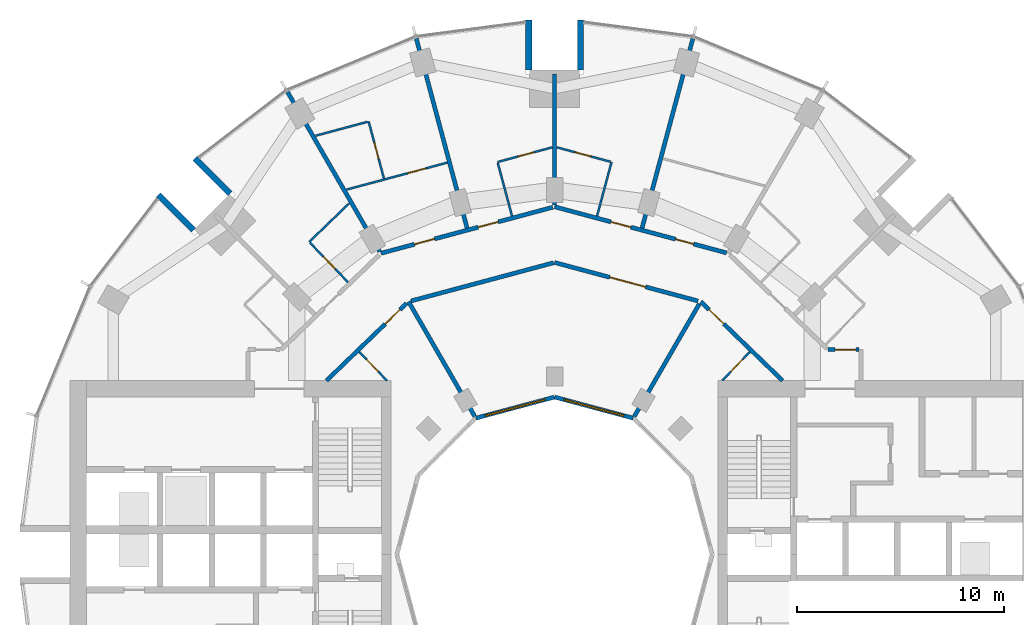
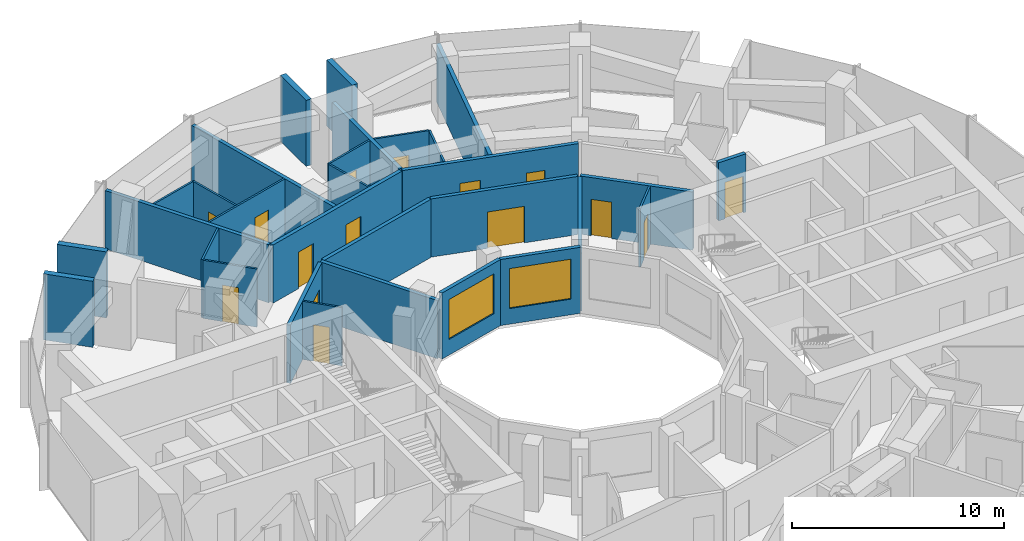
# One storey, part 12 of 15: 30 walls, 15 doors, 2 windows, 17 openings.
"""IFC4 building model written with IfcOpenShell, lengths in metres."""

from ifc_helpers import new_model, si_unit, direction, frame, frame_2d, origin, place, context, subcontext, project, spatial, rectangle, extrude, material, layer, layer_set, type_object, element, fill, save


model = new_model("IFC4")

# Units and contexts
model_context = context("Model", 3, precision=1e-05, world=origin(), true_north=direction((0.0, 1.0)))
body_context = subcontext(model_context, "Body", "Model", "MODEL_VIEW")
ifc_project = project(units=[si_unit("LENGTHUNIT", "METRE"), si_unit("AREAUNIT", "SQUARE_METRE"), si_unit("VOLUMEUNIT", "CUBIC_METRE"), si_unit("PLANEANGLEUNIT", "RADIAN"), si_unit("MASSUNIT", "GRAM", prefix="KILO")], contexts=[model_context])

# Site, building, storey
site_placement = place(None, origin())
site = spatial("IfcSite", under=ifc_project, at=site_placement, CompositionType="ELEMENT")
building_placement = place(site_placement, origin())
building = spatial("IfcBuilding", under=site, at=building_placement, Name="Torre Brocal", CompositionType="ELEMENT")
storey_placement = place(building_placement, frame((0.0, 0.0, 40.199951171875)))
storey = spatial("IfcBuildingStorey", under=building, at=storey_placement, Name="L08", CompositionType="ELEMENT", Elevation=40.199951171875)

# Walls
ifc_material_1 = material(Name="Concrete C80", Category="concrete")
ifc_layer_1 = layer(ifc_material_1, 0.300048828125)
ifc_layer_set_1 = layer_set([ifc_layer_1], Name="Concrete C80")
wall_type_1 = type_object("IfcWallType", Name="NOTCH RETURN WALL 300 C80", PredefinedType="NOTDEFINED", material=ifc_layer_set_1)
for number, where, z_axis, x_axis, name in (
    (1, (81.25, 98.39990234375, 0.0), (0.0, 0.0, 1.0), (0.0, 1.0, 0.0), "NOTCH RETURN WALL"),
    (2, (78.75, 98.39990234375, 0.0), (0.0, 0.0, 1.0), (0.0, 1.0, 0.0), "NOTCH RETURN WALL"),
    (3, (64.337646484375, 92.43017578125, 0.0), (0.0, 0.0, 1.0), (-0.707106781187, 0.707106781187, 0.0), "NOTCH RETURN WALL"),
    (4, (62.56982421875, 90.662353515625, 0.0), (0.0, 0.0, 1.0), (-0.707106781187, 0.707106781187, 0.0), "NOTCH RETURN WALL"),
):
    element("IfcWall", number, at=place(storey_placement, frame(where, z_axis=z_axis, x_axis=x_axis)), inside=storey, type_object=wall_type_1, Name=name, PredefinedType="NOTDEFINED", context=body_context, shape_type="SweptSolid", body=[
        extrude(rectangle(XDim=2.415771484375, YDim=0.300048828125, at=frame_2d((1.2080078125, 0.0))), origin(), (0.0, 0.0, 1.0), 3.800048828125),
    ])

# Wall, opening, door
ifc_material_2 = material(Name="Gypsum board", Category="Gypsum")
ifc_layer_2 = layer(ifc_material_2, 0.10009765625)
ifc_layer_set_2 = layer_set([ifc_layer_2], Name="Gypsum board")
wall_type_2 = type_object("IfcWallType", Name="PARTITION 100", PredefinedType="PARTITIONING", material=ifc_layer_set_2)
wall_1_placement = place(storey_placement, frame((68.184814453125, 90.06005859375, 0.0), z_axis=(0.0, 0.0, 1.0), x_axis=(0.69446127412, -0.719530081892, 0.0)))
wall_1 = element("IfcWall", 5, at=wall_1_placement, inside=storey, type_object=wall_type_2, Name="BATHROOM WALL", PredefinedType="PARTITIONING", context=body_context, shape_type="SweptSolid", body=[
    extrude(rectangle(XDim=2.64892578125, YDim=0.10009765625, at=frame_2d((1.324462890625, 0.0))), origin(), (0.0, 0.0, 1.0), 3.35009765625),
])
opening_1_placement = place(wall_1_placement, frame((0.94970703125, 0.0, 0.0)))
opening_1 = element("IfcOpeningElement", 6, at=opening_1_placement, cuts=wall_1, Name="Opening H02-D15", PredefinedType="OPENING", context=body_context, shape_type="SweptSolid", body=[
    extrude(rectangle(XDim=0.800048828125, YDim=2.10009765625, at=frame_2d((0.39990234375, 1.050048828125))), frame((0.0, 0.06005859375, 0.0), z_axis=(0.0, -1.0, 0.0), x_axis=(1.0, 0.0, 0.0)), (0.0, 0.0, 1.0), 0.1201171875),
])
ifc_material_3 = material(Name="Timber", Category="wood")
door_type_1 = type_object("IfcDoorType", Name="BATHROOM DOOR 800X2100", OperationType="SINGLE_SWING_LEFT", PredefinedType="DOOR", material=ifc_material_3)
door_1_placement = place(opening_1_placement, origin())
door_1 = element("IfcDoor", 7, at=door_1_placement, inside=storey, type_object=door_type_1, Name="H02-D15", OperationType="SINGLE_SWING_RIGHT", OverallHeight=2.10009765625, OverallWidth=0.800048828125, PredefinedType="DOOR", context=body_context, shape_type="SweptSolid", body=[
    extrude(rectangle(XDim=0.800048828125, YDim=2.10009765625, at=frame_2d((0.39990234375, 1.050048828125))), frame((0.0, 0.02490234375, 0.0), z_axis=(0.0, -1.0, 0.0), x_axis=(1.0, 0.0, 0.0)), (0.0, 0.0, 1.0), 0.050048828125),
])
fill(opening_1, door_1)

# Walls
wall_2_placement = place(storey_placement, frame((68.14990234375, 90.09619140625, 0.0), z_axis=(0.0, 0.0, 1.0), x_axis=(0.719623741095, 0.69436422089, 0.0)))
element("IfcWall", 8, at=wall_2_placement, inside=storey, type_object=wall_type_2, Name="BATHROOM WALL", PredefinedType="PARTITIONING", context=body_context, shape_type="SweptSolid", body=[
    extrude(rectangle(XDim=2.68701171875, YDim=0.10009765625, at=frame_2d((1.343505859375, 0.0))), origin(), (0.0, 0.0, 1.0), 3.35009765625),
])
wall_3_placement = place(storey_placement, frame((68.456787109375, 95.22509765625, 0.0), z_axis=(0.0, 0.0, 1.0), x_axis=(0.965887416682, 0.258962349183, 0.0)))
element("IfcWall", 9, at=wall_3_placement, inside=storey, type_object=wall_type_2, Name="BATHROOM WALL", PredefinedType="PARTITIONING", context=body_context, shape_type="SweptSolid", body=[
    extrude(rectangle(XDim=2.606689453125, YDim=0.10009765625, at=frame_2d((1.30322265625, 0.0))), origin(), (0.0, 0.0, 1.0), 3.35009765625),
])

# Wall, opening, door
wall_4_placement = place(storey_placement, frame((69.9580078125, 92.625244140625, 0.0), z_axis=(0.0, 0.0, 1.0), x_axis=(0.96595043048, 0.258727203548, 0.0)))
wall_4 = element("IfcWall", 10, at=wall_4_placement, inside=storey, type_object=wall_type_2, Name="BATHROOM WALL", PredefinedType="PARTITIONING", context=body_context, shape_type="SweptSolid", body=[
    extrude(rectangle(XDim=5.0380859375, YDim=0.10009765625, at=frame_2d((2.51904296875, 0.0))), origin(), (0.0, 0.0, 1.0), 3.35009765625),
])
opening_2_placement = place(wall_4_placement, frame((3.04931640625, 0.0, 0.0)))
opening_2 = element("IfcOpeningElement", 11, at=opening_2_placement, cuts=wall_4, Name="Opening H02-D12", PredefinedType="OPENING", context=body_context, shape_type="SweptSolid", body=[
    extrude(rectangle(XDim=0.89990234375, YDim=2.10009765625, at=frame_2d((0.449951171875, 1.050048828125))), frame((0.0, 0.06005859375, 0.0), z_axis=(0.0, -1.0, 0.0), x_axis=(1.0, 0.0, 0.0)), (0.0, 0.0, 1.0), 0.1201171875),
])
ifc_material_4 = material(Name="Timber", Category="wood")
door_type_2 = type_object("IfcDoorType", Name="ROOM DOOR 900X2100", OperationType="SINGLE_SWING_LEFT", PredefinedType="DOOR", material=ifc_material_4)
door_2_placement = place(opening_2_placement, frame((0.89990234375, 0.0, 0.0), z_axis=(0.0, 0.0, 1.0), x_axis=(-1.0, 0.0, 0.0)))
door_2 = element("IfcDoor", 12, at=door_2_placement, inside=storey, type_object=door_type_2, Name="H02-D12", OperationType="SINGLE_SWING_LEFT", OverallHeight=2.10009765625, OverallWidth=0.89990234375, PredefinedType="DOOR", context=body_context, shape_type="SweptSolid", body=[
    extrude(rectangle(XDim=0.89990234375, YDim=2.10009765625, at=frame_2d((0.449951171875, 1.050048828125))), frame((0.0, 0.02490234375, 0.0), z_axis=(0.0, -1.0, 0.0), x_axis=(1.0, 0.0, 0.0)), (0.0, 0.0, 1.0), 0.050048828125),
])
fill(opening_2, door_2)

wall_5_placement = place(storey_placement, frame((70.5673828125, 84.785888671875, 0.0), z_axis=(0.0, 0.0, 1.0), x_axis=(0.694447472534, -0.719543402368, 0.0)))
wall_5 = element("IfcWall", 13, at=wall_5_placement, inside=storey, type_object=wall_type_2, Name="BATHROOM WALL", PredefinedType="PARTITIONING", context=body_context, shape_type="SweptSolid", body=[
    extrude(rectangle(XDim=1.92626953125, YDim=0.10009765625, at=frame_2d((0.963134765625, 0.0))), origin(), (0.0, 0.0, 1.0), 3.35009765625),
])
opening_3_placement = place(wall_5_placement, frame((0.51318359375, 0.0, 0.0)))
opening_3 = element("IfcOpeningElement", 14, at=opening_3_placement, cuts=wall_5, Name="Opening H02-D22", PredefinedType="OPENING", context=body_context, shape_type="SweptSolid", body=[
    extrude(rectangle(XDim=0.800048828125, YDim=2.10009765625, at=frame_2d((0.39990234375, 1.050048828125))), frame((0.0, 0.06005859375, 0.0), z_axis=(0.0, -1.0, 0.0), x_axis=(1.0, 0.0, 0.0)), (0.0, 0.0, 1.0), 0.1201171875),
])
door_3_placement = place(opening_3_placement, frame((0.800048828125, 0.0, 0.0), z_axis=(0.0, 0.0, 1.0), x_axis=(-1.0, 0.0, 0.0)))
door_3 = element("IfcDoor", 15, at=door_3_placement, inside=storey, type_object=door_type_1, Name="H02-D22", OperationType="SINGLE_SWING_RIGHT", OverallHeight=2.10009765625, OverallWidth=0.800048828125, PredefinedType="DOOR", context=body_context, shape_type="SweptSolid", body=[
    extrude(rectangle(XDim=0.800048828125, YDim=2.10009765625, at=frame_2d((0.39990234375, 1.050048828125))), frame((0.0, 0.02490234375, 0.0), z_axis=(0.0, -1.0, 0.0), x_axis=(1.0, 0.0, 0.0)), (0.0, 0.0, 1.0), 0.050048828125),
])
fill(opening_3, door_3)

wall_6_placement = place(storey_placement, frame((71.02294921875, 95.9130859375, 0.0), z_axis=(0.0, 0.0, 1.0), x_axis=(0.258968734817, -0.965885704619, 0.0)))
wall_6 = element("IfcWall", 16, at=wall_6_placement, inside=storey, type_object=wall_type_2, Name="BATHROOM WALL", PredefinedType="PARTITIONING", context=body_context, shape_type="SweptSolid", body=[
    extrude(rectangle(XDim=2.849853515625, YDim=0.10009765625, at=frame_2d((1.4248046875, 0.0))), origin(), (0.0, 0.0, 1.0), 3.35009765625),
])
opening_4_placement = place(wall_6_placement, frame((1.050048828125, 0.0, 0.0)))
opening_4 = element("IfcOpeningElement", 17, at=opening_4_placement, cuts=wall_6, Name="Opening H02-D13", PredefinedType="OPENING", context=body_context, shape_type="SweptSolid", body=[
    extrude(rectangle(XDim=0.800048828125, YDim=2.10009765625, at=frame_2d((0.39990234375, 1.050048828125))), frame((0.0, 0.06005859375, 0.0), z_axis=(0.0, -1.0, 0.0), x_axis=(1.0, 0.0, 0.0)), (0.0, 0.0, 1.0), 0.1201171875),
])
door_4_placement = place(opening_4_placement, frame((0.800048828125, 0.0, 0.0), z_axis=(0.0, 0.0, 1.0), x_axis=(-1.0, 0.0, 0.0)))
door_4 = element("IfcDoor", 18, at=door_4_placement, inside=storey, type_object=door_type_1, Name="H02-D13", OperationType="SINGLE_SWING_RIGHT", OverallHeight=2.10009765625, OverallWidth=0.800048828125, PredefinedType="DOOR", context=body_context, shape_type="SweptSolid", body=[
    extrude(rectangle(XDim=0.800048828125, YDim=2.10009765625, at=frame_2d((0.39990234375, 1.050048828125))), frame((0.0, 0.02490234375, 0.0), z_axis=(0.0, -1.0, 0.0), x_axis=(1.0, 0.0, 0.0)), (0.0, 0.0, 1.0), 0.050048828125),
])
fill(opening_4, door_4)

# Wall
wall_7_placement = place(storey_placement, frame((77.260009765625, 93.90869140625, 0.0), z_axis=(0.0, 0.0, 1.0), x_axis=(0.258935674139, -0.965894568086, 0.0)))
element("IfcWall", 19, at=wall_7_placement, inside=storey, type_object=wall_type_2, Name="BATHROOM WALL", PredefinedType="PARTITIONING", context=body_context, shape_type="SweptSolid", body=[
    extrude(rectangle(XDim=2.6494140625, YDim=0.10009765625, at=frame_2d((1.32470703125, 0.0))), origin(), (0.0, 0.0, 1.0), 3.35009765625),
])

# Wall, opening, door
wall_8_placement = place(storey_placement, frame((77.2470703125, 93.95703125, 0.0), z_axis=(0.0, 0.0, 1.0), x_axis=(0.965899920864, 0.258915706119, 0.0)))
wall_8 = element("IfcWall", 20, at=wall_8_placement, inside=storey, type_object=wall_type_2, Name="BATHROOM WALL", PredefinedType="PARTITIONING", context=body_context, shape_type="SweptSolid", body=[
    extrude(rectangle(XDim=2.740234375, YDim=0.10009765625, at=frame_2d((1.3701171875, 0.0))), origin(), (0.0, 0.0, 1.0), 3.35009765625),
])
opening_5_placement = place(wall_8_placement, frame((1.025146484375, 0.0, 0.0)))
opening_5 = element("IfcOpeningElement", 21, at=opening_5_placement, cuts=wall_8, Name="Opening H02-D10", PredefinedType="OPENING", context=body_context, shape_type="SweptSolid", body=[
    extrude(rectangle(XDim=0.800048828125, YDim=2.10009765625, at=frame_2d((0.39990234375, 1.050048828125))), frame((0.0, 0.06005859375, 0.0), z_axis=(0.0, -1.0, 0.0), x_axis=(1.0, 0.0, 0.0)), (0.0, 0.0, 1.0), 0.1201171875),
])
door_5_placement = place(opening_5_placement, frame((0.800048828125, 0.0, 0.0), z_axis=(0.0, 0.0, 1.0), x_axis=(-1.0, 0.0, 0.0)))
door_5 = element("IfcDoor", 22, at=door_5_placement, inside=storey, type_object=door_type_1, Name="H02-D10", OperationType="SINGLE_SWING_LEFT", OverallHeight=2.10009765625, OverallWidth=0.800048828125, PredefinedType="DOOR", context=body_context, shape_type="SweptSolid", body=[
    extrude(rectangle(XDim=0.800048828125, YDim=2.10009765625, at=frame_2d((0.39990234375, 1.050048828125))), frame((0.0, 0.02490234375, 0.0), z_axis=(0.0, -1.0, 0.0), x_axis=(1.0, 0.0, 0.0)), (0.0, 0.0, 1.0), 0.050048828125),
])
fill(opening_5, door_5)

wall_9_placement = place(storey_placement, frame((80.106201171875, 94.66650390625, 0.0), z_axis=(0.0, 0.0, 1.0), x_axis=(0.96589821458, -0.258922071427, 0.0)))
wall_9 = element("IfcWall", 23, at=wall_9_placement, inside=storey, type_object=wall_type_2, Name="BATHROOM WALL", PredefinedType="PARTITIONING", context=body_context, shape_type="SweptSolid", body=[
    extrude(rectangle(XDim=2.690185546875, YDim=0.10009765625, at=frame_2d((1.34521484375, 0.0))), origin(), (0.0, 0.0, 1.0), 3.35009765625),
])
opening_6_placement = place(wall_9_placement, frame((0.9150390625, 0.0, 0.0)))
opening_6 = element("IfcOpeningElement", 24, at=opening_6_placement, cuts=wall_9, Name="Opening H02-D08", PredefinedType="OPENING", context=body_context, shape_type="SweptSolid", body=[
    extrude(rectangle(XDim=0.800048828125, YDim=2.10009765625, at=frame_2d((0.39990234375, 1.050048828125))), frame((0.0, 0.06005859375, 0.0), z_axis=(0.0, -1.0, 0.0), x_axis=(1.0, 0.0, 0.0)), (0.0, 0.0, 1.0), 0.1201171875),
])
door_6_placement = place(opening_6_placement, frame((0.800048828125, 0.0, 0.0), z_axis=(0.0, 0.0, 1.0), x_axis=(-1.0, 0.0, 0.0)))
door_6 = element("IfcDoor", 25, at=door_6_placement, inside=storey, type_object=door_type_1, Name="H02-D08", OperationType="SINGLE_SWING_RIGHT", OverallHeight=2.10009765625, OverallWidth=0.800048828125, PredefinedType="DOOR", context=body_context, shape_type="SweptSolid", body=[
    extrude(rectangle(XDim=0.800048828125, YDim=2.10009765625, at=frame_2d((0.39990234375, 1.050048828125))), frame((0.0, 0.02490234375, 0.0), z_axis=(0.0, -1.0, 0.0), x_axis=(1.0, 0.0, 0.0)), (0.0, 0.0, 1.0), 0.050048828125),
])
fill(opening_6, door_6)

# Wall
wall_10_placement = place(storey_placement, frame((82.053955078125, 91.349609375, 0.0), z_axis=(0.0, 0.0, 1.0), x_axis=(0.258928960762, 0.965896367774, 0.0)))
element("IfcWall", 26, at=wall_10_placement, inside=storey, type_object=wall_type_2, Name="BATHROOM WALL", PredefinedType="PARTITIONING", context=body_context, shape_type="SweptSolid", body=[
    extrude(rectangle(XDim=2.699462890625, YDim=0.10009765625, at=frame_2d((1.349609375, 0.0))), origin(), (0.0, 0.0, 1.0), 3.35009765625),
])

# Wall, opening, door
wall_11_placement = place(storey_placement, frame((88.094970703125, 83.39990234375, 0.0), z_axis=(0.0, 0.0, 1.0), x_axis=(0.694447472534, 0.719543402368, 0.0)))
wall_11 = element("IfcWall", 27, at=wall_11_placement, inside=storey, type_object=wall_type_2, Name="BATHROOM WALL", PredefinedType="PARTITIONING", context=body_context, shape_type="SweptSolid", body=[
    extrude(rectangle(XDim=1.92626953125, YDim=0.10009765625, at=frame_2d((0.963134765625, 0.0))), origin(), (0.0, 0.0, 1.0), 3.35009765625),
])
opening_7_placement = place(wall_11_placement, frame((0.613037109375, 0.0, 0.0)))
opening_7 = element("IfcOpeningElement", 28, at=opening_7_placement, cuts=wall_11, Name="Opening H02-D19", PredefinedType="OPENING", context=body_context, shape_type="SweptSolid", body=[
    extrude(rectangle(XDim=0.800048828125, YDim=2.10009765625, at=frame_2d((0.39990234375, 1.050048828125))), frame((0.0, 0.06005859375, 0.0), z_axis=(0.0, -1.0, 0.0), x_axis=(1.0, 0.0, 0.0)), (0.0, 0.0, 1.0), 0.1201171875),
])
door_7_placement = place(opening_7_placement, frame((0.800048828125, 0.0, 0.0), z_axis=(0.0, 0.0, 1.0), x_axis=(-1.0, 0.0, 0.0)))
door_7 = element("IfcDoor", 29, at=door_7_placement, inside=storey, type_object=door_type_1, Name="H02-D19", OperationType="SINGLE_SWING_LEFT", OverallHeight=2.10009765625, OverallWidth=0.800048828125, PredefinedType="DOOR", context=body_context, shape_type="SweptSolid", body=[
    extrude(rectangle(XDim=0.800048828125, YDim=2.10009765625, at=frame_2d((0.39990234375, 1.050048828125))), frame((0.0, 0.02490234375, 0.0), z_axis=(0.0, -1.0, 0.0), x_axis=(1.0, 0.0, 0.0)), (0.0, 0.0, 1.0), 0.050048828125),
])
fill(opening_7, door_7)

# Wall
ifc_material_5 = material(Name="Gypsum board", Category="Gypsum")
ifc_layer_3 = layer(ifc_material_5, 0.199951171875)
ifc_layer_set_3 = layer_set([ifc_layer_3], Name="Gypsum board")
wall_type_3 = type_object("IfcWallType", Name="PARTITION 200 EI60", PredefinedType="PARTITIONING", material=ifc_layer_set_3)
wall_12_placement = place(storey_placement, frame((67.10302734375, 97.342529296875, 0.0), z_axis=(0.0, 0.0, 1.0), x_axis=(0.499900389553, -0.866082906265, 0.0)))
element("IfcWall", 30, at=wall_12_placement, inside=storey, type_object=wall_type_3, Name="BATHROOM WALL", PredefinedType="PARTITIONING", context=body_context, shape_type="SweptSolid", body=[
    extrude(rectangle(XDim=8.907958984375, YDim=0.199951171875, at=frame_2d((4.4541015625, 0.0))), origin(), (0.0, 0.0, 1.0), 3.35009765625),
])

# Wall, opening, door
wall_13_placement = place(storey_placement, frame((68.987060546875, 83.39990234375, 0.0), z_axis=(0.0, 0.0, 1.0), x_axis=(0.719591503389, 0.694397629784, 0.0)))
wall_13 = element("IfcWall", 31, at=wall_13_placement, inside=storey, type_object=wall_type_3, Name="GUESTROOM CORRIDOR WALL", PredefinedType="PARTITIONING", context=body_context, shape_type="SweptSolid", body=[
    extrude(rectangle(XDim=5.378173828125, YDim=0.199951171875, at=frame_2d((2.68896484375, 0.0))), origin(), (0.0, 0.0, 1.0), 3.35009765625),
])
opening_8_placement = place(wall_13_placement, frame((3.93798828125, 0.0, 0.0)))
opening_8 = element("IfcOpeningElement", 32, at=opening_8_placement, cuts=wall_13, Name="Opening H02-D21", PredefinedType="OPENING", context=body_context, shape_type="SweptSolid", body=[
    extrude(rectangle(XDim=1.0, YDim=2.10009765625, at=frame_2d((0.5, 1.050048828125))), frame((0.0, 0.10986328125, 0.0), z_axis=(0.0, -1.0, 0.0), x_axis=(1.0, 0.0, 0.0)), (0.0, 0.0, 1.0), 0.219970703125),
])
ifc_material_6 = material(Name="Timber", Category="wood")
door_type_3 = type_object("IfcDoorType", Name="FLAT ENTRY DOOR FD30S 1000X2100", OperationType="SINGLE_SWING_RIGHT", PredefinedType="DOOR", material=ifc_material_6)
door_8_placement = place(opening_8_placement, frame((1.0, 0.0, 0.0), z_axis=(0.0, 0.0, 1.0), x_axis=(-1.0, 0.0, 0.0)))
door_8 = element("IfcDoor", 33, at=door_8_placement, inside=storey, type_object=door_type_3, Name="H02-D21", OperationType="SINGLE_SWING_LEFT", OverallHeight=2.10009765625, OverallWidth=1.0, PredefinedType="DOOR", context=body_context, shape_type="SweptSolid", body=[
    extrude(rectangle(XDim=1.0, YDim=2.10009765625, at=frame_2d((0.5, 1.050048828125))), frame((0.0, 0.02490234375, 0.0), z_axis=(0.0, -1.0, 0.0), x_axis=(1.0, 0.0, 0.0)), (0.0, 0.0, 1.0), 0.050048828125),
])
fill(opening_8, door_8)

# Wall, openings, doors
wall_14_placement = place(storey_placement, frame((71.61376953125, 89.549560546875, 0.0), z_axis=(0.0, 0.0, 1.0), x_axis=(0.96597505802, 0.258635239832, 0.0)))
wall_14 = element("IfcWall", 34, at=wall_14_placement, inside=storey, type_object=wall_type_3, Name="FLAT ENTRANCE WALL", PredefinedType="PARTITIONING", context=body_context, shape_type="SweptSolid", body=[
    extrude(rectangle(XDim=8.591796875, YDim=0.199951171875, at=frame_2d((4.2958984375, 0.0))), origin(), (0.0, 0.0, 1.0), 3.35009765625),
])
opening_9_placement = place(wall_14_placement, frame((4.864990234375, 0.0, 0.0)))
opening_9 = element("IfcOpeningElement", 35, at=opening_9_placement, cuts=wall_14, Name="Opening H02-D09", PredefinedType="OPENING", context=body_context, shape_type="SweptSolid", body=[
    extrude(rectangle(XDim=1.0, YDim=2.10009765625, at=frame_2d((0.5, 1.050048828125))), frame((0.0, 0.10986328125, 0.0), z_axis=(0.0, -1.0, 0.0), x_axis=(1.0, 0.0, 0.0)), (0.0, 0.0, 1.0), 0.219970703125),
])
opening_10_placement = place(wall_14_placement, frame((1.67724609375, 0.0, 0.0)))
opening_10 = element("IfcOpeningElement", 36, at=opening_10_placement, cuts=wall_14, Name="Opening H02-D11", PredefinedType="OPENING", context=body_context, shape_type="SweptSolid", body=[
    extrude(rectangle(XDim=1.0, YDim=2.10009765625, at=frame_2d((0.5, 1.050048828125))), frame((0.0, 0.10986328125, 0.0), z_axis=(0.0, -1.0, 0.0), x_axis=(1.0, 0.0, 0.0)), (0.0, 0.0, 1.0), 0.219970703125),
])
door_9_placement = place(opening_9_placement, origin())
door_9 = element("IfcDoor", 37, at=door_9_placement, inside=storey, type_object=door_type_3, Name="H02-D09", OperationType="SINGLE_SWING_LEFT", OverallHeight=2.10009765625, OverallWidth=1.0, PredefinedType="DOOR", context=body_context, shape_type="SweptSolid", body=[
    extrude(rectangle(XDim=1.0, YDim=2.10009765625, at=frame_2d((0.5, 1.050048828125))), frame((0.0, 0.02490234375, 0.0), z_axis=(0.0, -1.0, 0.0), x_axis=(1.0, 0.0, 0.0)), (0.0, 0.0, 1.0), 0.050048828125),
])
fill(opening_9, door_9)
door_10_placement = place(opening_10_placement, origin())
door_10 = element("IfcDoor", 38, at=door_10_placement, inside=storey, type_object=door_type_3, Name="H02-D11", OperationType="SINGLE_SWING_RIGHT", OverallHeight=2.10009765625, OverallWidth=1.0, PredefinedType="DOOR", context=body_context, shape_type="SweptSolid", body=[
    extrude(rectangle(XDim=1.0, YDim=2.10009765625, at=frame_2d((0.5, 1.050048828125))), frame((0.0, 0.02490234375, 0.0), z_axis=(0.0, -1.0, 0.0), x_axis=(1.0, 0.0, 0.0)), (0.0, 0.0, 1.0), 0.050048828125),
])
fill(opening_10, door_10)

# Walls
wall_15_placement = place(storey_placement, frame((73.0712890625, 87.2470703125, 0.0), z_axis=(0.0, 0.0, 1.0), x_axis=(0.965920206274, 0.258840018373, 0.0)))
element("IfcWall", 39, at=wall_15_placement, inside=storey, type_object=wall_type_3, Name="GUESTROOM CORRIDOR WALL", PredefinedType="PARTITIONING", context=body_context, shape_type="SweptSolid", body=[
    extrude(rectangle(XDim=7.123046875, YDim=0.199951171875, at=frame_2d((3.5615234375, 0.0))), origin(), (0.0, 0.0, 1.0), 3.35009765625),
])
wall_16_placement = place(storey_placement, frame((72.948974609375, 87.214599609375, 0.0), z_axis=(0.0, 0.0, 1.0), x_axis=(0.499890755261, -0.866088467077, 0.0)))
element("IfcWall", 40, at=wall_16_placement, inside=storey, type_object=wall_type_3, Name="PARTY PARTITION", PredefinedType="PARTITIONING", context=body_context, shape_type="SweptSolid", body=[
    extrude(rectangle(XDim=6.404296875, YDim=0.199951171875, at=frame_2d((3.2021484375, 0.0))), origin(), (0.0, 0.0, 1.0), 3.35009765625),
])
wall_17_placement = place(storey_placement, frame((73.323486328125, 99.91943359375, 0.0), z_axis=(0.0, 0.0, 1.0), x_axis=(0.258786746607, -0.965934480066, 0.0)))
element("IfcWall", 41, at=wall_17_placement, inside=storey, type_object=wall_type_3, Name="PARTY PARTITION", PredefinedType="PARTITIONING", context=body_context, shape_type="SweptSolid", body=[
    extrude(rectangle(XDim=9.474609375, YDim=0.199951171875, at=frame_2d((4.7373046875, 0.0))), origin(), (0.0, 0.0, 1.0), 3.35009765625),
])

# Wall, opening, door
wall_18_placement = place(storey_placement, frame((80.0, 89.104248046875, 0.0), z_axis=(0.0, 0.0, 1.0), x_axis=(0.965886659739, -0.258965172444, 0.0)))
wall_18 = element("IfcWall", 42, at=wall_18_placement, inside=storey, type_object=wall_type_3, Name="GUESTROOM CORRIDOR WALL", PredefinedType="PARTITIONING", context=body_context, shape_type="SweptSolid", body=[
    extrude(rectangle(XDim=7.17333984375, YDim=0.199951171875, at=frame_2d((3.586669921875, 0.0))), origin(), (0.0, 0.0, 1.0), 3.35009765625),
])
opening_11_placement = place(wall_18_placement, frame((2.756591796875, 0.0, 0.0)))
opening_11 = element("IfcOpeningElement", 43, at=opening_11_placement, cuts=wall_18, Name="Opening H02-D20", PredefinedType="OPENING", context=body_context, shape_type="SweptSolid", body=[
    extrude(rectangle(XDim=1.800048828125, YDim=2.10009765625, at=frame_2d((0.89990234375, 1.050048828125))), frame((0.0, 0.10986328125, 0.0), z_axis=(0.0, -1.0, 0.0), x_axis=(1.0, 0.0, 0.0)), (0.0, 0.0, 1.0), 0.219970703125),
])
ifc_material_7 = material(Name="Timber", Category="wood")
door_type_4 = type_object("IfcDoorType", Name="DOUBLE DOOR 1800X2100", OperationType="DOUBLE_DOOR_SINGLE_SWING", PredefinedType="DOOR", material=ifc_material_7)
door_11_placement = place(opening_11_placement, frame((1.800048828125, 0.0, 0.0), z_axis=(0.0, 0.0, 1.0), x_axis=(-1.0, 0.0, 0.0)))
door_11 = element("IfcDoor", 44, at=door_11_placement, inside=storey, type_object=door_type_4, Name="H02-D20", OperationType="DOUBLE_DOOR_SINGLE_SWING", OverallHeight=2.10009765625, OverallWidth=1.800048828125, PredefinedType="DOOR", context=body_context, shape_type="SweptSolid", body=[
    extrude(rectangle(XDim=1.800048828125, YDim=2.10009765625, at=frame_2d((0.89990234375, 1.050048828125))), frame((0.0, 0.02490234375, 0.0), z_axis=(0.0, -1.0, 0.0), x_axis=(1.0, 0.0, 0.0)), (0.0, 0.0, 1.0), 0.050048828125),
])
fill(opening_11, door_11)

# Wall
wall_19_placement = place(storey_placement, frame((80.0, 91.885986328125, 0.0), z_axis=(0.0, 0.0, 1.0), x_axis=(0.0, 1.0, 0.0)))
element("IfcWall", 45, at=wall_19_placement, inside=storey, type_object=wall_type_3, Name="BATHROOM WALL", PredefinedType="PARTITIONING", context=body_context, shape_type="SweptSolid", body=[
    extrude(rectangle(XDim=6.31396484375, YDim=0.199951171875, at=frame_2d((3.156982421875, 0.0))), origin(), (0.0, 0.0, 1.0), 3.35009765625),
])

# Wall, openings, doors
wall_20_placement = place(storey_placement, frame((80.0, 91.79638671875, 0.0), z_axis=(0.0, 0.0, 1.0), x_axis=(0.965896351823, -0.258929020266, 0.0)))
wall_20 = element("IfcWall", 46, at=wall_20_placement, inside=storey, type_object=wall_type_3, Name="GUESTROOM CORRIDOR WALL", PredefinedType="PARTITIONING", context=body_context, shape_type="SweptSolid", body=[
    extrude(rectangle(XDim=8.60205078125, YDim=0.199951171875, at=frame_2d((4.301025390625, 0.0))), origin(), (0.0, 0.0, 1.0), 3.35009765625),
])
opening_12_placement = place(wall_20_placement, frame((6.0546875, 0.0, 0.0)))
opening_12 = element("IfcOpeningElement", 47, at=opening_12_placement, cuts=wall_20, Name="Opening H02-D05", PredefinedType="OPENING", context=body_context, shape_type="SweptSolid", body=[
    extrude(rectangle(XDim=0.89990234375, YDim=2.10009765625, at=frame_2d((0.449951171875, 1.050048828125))), frame((0.0, 0.10986328125, 0.0), z_axis=(0.0, -1.0, 0.0), x_axis=(1.0, 0.0, 0.0)), (0.0, 0.0, 1.0), 0.219970703125),
])
opening_13_placement = place(wall_20_placement, frame((2.816650390625, 0.0, 0.0)))
opening_13 = element("IfcOpeningElement", 48, at=opening_13_placement, cuts=wall_20, Name="Opening H02-D07", PredefinedType="OPENING", context=body_context, shape_type="SweptSolid", body=[
    extrude(rectangle(XDim=1.0, YDim=2.10009765625, at=frame_2d((0.5, 1.050048828125))), frame((0.0, 0.10986328125, 0.0), z_axis=(0.0, -1.0, 0.0), x_axis=(1.0, 0.0, 0.0)), (0.0, 0.0, 1.0), 0.219970703125),
])
door_12_placement = place(opening_13_placement, origin())
door_12 = element("IfcDoor", 49, at=door_12_placement, inside=storey, type_object=door_type_3, Name="H02-D07", OperationType="SINGLE_SWING_RIGHT", OverallHeight=2.10009765625, OverallWidth=1.0, PredefinedType="DOOR", context=body_context, shape_type="SweptSolid", body=[
    extrude(rectangle(XDim=1.0, YDim=2.10009765625, at=frame_2d((0.5, 1.050048828125))), frame((0.0, 0.02490234375, 0.0), z_axis=(0.0, -1.0, 0.0), x_axis=(1.0, 0.0, 0.0)), (0.0, 0.0, 1.0), 0.050048828125),
])
fill(opening_13, door_12)
door_13_placement = place(opening_12_placement, origin())
door_13 = element("IfcDoor", 50, at=door_13_placement, inside=storey, type_object=door_type_2, Name="H02-D05", OperationType="SINGLE_SWING_LEFT", OverallHeight=2.10009765625, OverallWidth=0.89990234375, PredefinedType="DOOR", context=body_context, shape_type="SweptSolid", body=[
    extrude(rectangle(XDim=0.89990234375, YDim=2.10009765625, at=frame_2d((0.449951171875, 1.050048828125))), frame((0.0, 0.02490234375, 0.0), z_axis=(0.0, -1.0, 0.0), x_axis=(1.0, 0.0, 0.0)), (0.0, 0.0, 1.0), 0.050048828125),
])
fill(opening_12, door_13)

# Walls
wall_21_placement = place(storey_placement, frame((83.85009765625, 81.667724609375, 0.0), z_axis=(0.0, 0.0, 1.0), x_axis=(0.500233583443, 0.865890502313, 0.0)))
element("IfcWall", 51, at=wall_21_placement, inside=storey, type_object=wall_type_3, Name="PARTY PARTITION", PredefinedType="PARTITIONING", context=body_context, shape_type="SweptSolid", body=[
    extrude(rectangle(XDim=6.2841796875, YDim=0.199951171875, at=frame_2d((3.14208984375, 0.0))), origin(), (0.0, 0.0, 1.0), 3.35009765625),
])
wall_22_placement = place(storey_placement, frame((84.226318359375, 90.76708984375, 0.0), z_axis=(0.0, 0.0, 1.0), x_axis=(0.25891339545, 0.965900540251, 0.0)))
element("IfcWall", 52, at=wall_22_placement, inside=storey, type_object=wall_type_3, Name="SERVICE ROOM WALL", PredefinedType="PARTITIONING", context=body_context, shape_type="SweptSolid", body=[
    extrude(rectangle(XDim=9.474609375, YDim=0.199951171875, at=frame_2d((4.7373046875, 0.0))), origin(), (0.0, 0.0, 1.0), 3.35009765625),
])

# Wall, opening, door
wall_23_placement = place(storey_placement, frame((87.06396484375, 87.2109375, 0.0), z_axis=(0.0, 0.0, 1.0), x_axis=(0.719540958932, -0.694450004262, 0.0)))
wall_23 = element("IfcWall", 53, at=wall_23_placement, inside=storey, type_object=wall_type_3, Name="GUESTROOM CORRIDOR WALL", PredefinedType="PARTITIONING", context=body_context, shape_type="SweptSolid", body=[
    extrude(rectangle(XDim=5.48779296875, YDim=0.199951171875, at=frame_2d((2.743896484375, 0.0))), origin(), (0.0, 0.0, 1.0), 3.35009765625),
])
opening_14_placement = place(wall_23_placement, frame((0.550048828125, 0.0, 0.0)))
opening_14 = element("IfcOpeningElement", 54, at=opening_14_placement, cuts=wall_23, Name="Opening H02-D18", PredefinedType="OPENING", context=body_context, shape_type="SweptSolid", body=[
    extrude(rectangle(XDim=1.0, YDim=2.10009765625, at=frame_2d((0.5, 1.050048828125))), frame((0.0, 0.10986328125, 0.0), z_axis=(0.0, -1.0, 0.0), x_axis=(1.0, 0.0, 0.0)), (0.0, 0.0, 1.0), 0.219970703125),
])
door_14_placement = place(opening_14_placement, frame((1.0, 0.0, 0.0), z_axis=(0.0, 0.0, 1.0), x_axis=(-1.0, 0.0, 0.0)))
door_14 = element("IfcDoor", 55, at=door_14_placement, inside=storey, type_object=door_type_3, Name="H02-D18", OperationType="SINGLE_SWING_RIGHT", OverallHeight=2.10009765625, OverallWidth=1.0, PredefinedType="DOOR", context=body_context, shape_type="SweptSolid", body=[
    extrude(rectangle(XDim=1.0, YDim=2.10009765625, at=frame_2d((0.5, 1.050048828125))), frame((0.0, 0.02490234375, 0.0), z_axis=(0.0, -1.0, 0.0), x_axis=(1.0, 0.0, 0.0)), (0.0, 0.0, 1.0), 0.050048828125),
])
fill(opening_14, door_14)

wall_24_placement = place(storey_placement, frame((93.2041015625, 84.89990234375, 0.0), z_axis=(0.0, 0.0, 1.0), x_axis=(1.0, 0.0, 0.0)))
wall_24 = element("IfcWall", 56, at=wall_24_placement, inside=storey, type_object=wall_type_3, Name="GUESTROOM CORRIDOR WALL", PredefinedType="PARTITIONING", context=body_context, shape_type="SweptSolid", body=[
    extrude(rectangle(XDim=1.495849609375, YDim=0.199951171875, at=frame_2d((0.748046875, 0.0))), origin(), (0.0, 0.0, 1.0), 3.35009765625),
])
opening_15_placement = place(wall_24_placement, frame((0.345947265625, 0.0, 0.0)))
opening_15 = element("IfcOpeningElement", 57, at=opening_15_placement, cuts=wall_24, Name="Opening H02-D01", PredefinedType="OPENING", context=body_context, shape_type="SweptSolid", body=[
    extrude(rectangle(XDim=1.0, YDim=2.10009765625, at=frame_2d((0.5, 1.050048828125))), frame((0.0, 0.10986328125, 0.0), z_axis=(0.0, -1.0, 0.0), x_axis=(1.0, 0.0, 0.0)), (0.0, 0.0, 1.0), 0.219970703125),
])
door_15_placement = place(opening_15_placement, origin())
door_15 = element("IfcDoor", 58, at=door_15_placement, inside=storey, type_object=door_type_3, Name="H02-D01", OperationType="SINGLE_SWING_RIGHT", OverallHeight=2.10009765625, OverallWidth=1.0, PredefinedType="DOOR", context=body_context, shape_type="SweptSolid", body=[
    extrude(rectangle(XDim=1.0, YDim=2.10009765625, at=frame_2d((0.5, 1.050048828125))), frame((0.0, 0.02490234375, 0.0), z_axis=(0.0, -1.0, 0.0), x_axis=(1.0, 0.0, 0.0)), (0.0, 0.0, 1.0), 0.050048828125),
])
fill(opening_15, door_15)

# Wall, opening, window
ifc_material_8 = material(Name="Concrete C40", Category="concrete")
ifc_layer_4 = layer(ifc_material_8, 0.199951171875)
ifc_layer_set_4 = layer_set([ifc_layer_4], Name="Concrete C40")
wall_type_4 = type_object("IfcWallType", Name="WELL FACADE WALL 200", PredefinedType="NOTDEFINED", material=ifc_layer_set_4)
wall_25_placement = place(storey_placement, frame((83.8017578125, 81.5849609375, 0.0), z_axis=(0.0, 0.0, 1.0), x_axis=(-0.965933654434, 0.258789828301, 0.0)))
wall_25 = element("IfcWall", 59, at=wall_25_placement, inside=storey, type_object=wall_type_4, Name="WELL FACADE WALL", PredefinedType="NOTDEFINED", context=body_context, shape_type="SweptSolid", body=[
    extrude(rectangle(XDim=3.935791015625, YDim=0.199951171875, at=frame_2d((1.9677734375, 0.0))), origin(), (0.0, 0.0, 1.0), 3.800048828125),
])
opening_16_placement = place(wall_25_placement, frame((0.468017578125, 0.0, 0.89990234375)))
opening_16 = element("IfcOpeningElement", 60, at=opening_16_placement, cuts=wall_25, Name="Opening W1", PredefinedType="OPENING", context=body_context, shape_type="SweptSolid", body=[
    extrude(rectangle(XDim=3.0, YDim=2.300048828125, at=frame_2d((1.5, 1.14990234375))), frame((0.0, 0.10986328125, 0.0), z_axis=(0.0, -1.0, 0.0), x_axis=(1.0, 0.0, 0.0)), (0.0, 0.0, 1.0), 0.219970703125),
])
ifc_material_9 = material(Name="Aluminium and glass", Category="aluminium")
window_type = type_object("IfcWindowType", Name="WELL WINDOW 3000X2300", PartitioningType="SINGLE_PANEL", PredefinedType="WINDOW", material=ifc_material_9)
window_1_placement = place(opening_16_placement, origin())
window_1 = element("IfcWindow", 61, at=window_1_placement, inside=storey, type_object=window_type, Name="WELL WINDOW 3000X2300", OverallHeight=2.300048828125, OverallWidth=3.0, PartitioningType="SINGLE_PANEL", PredefinedType="WINDOW", context=body_context, shape_type="SweptSolid", body=[
    extrude(rectangle(XDim=3.0, YDim=2.300048828125, at=frame_2d((1.5, 1.14990234375))), frame((0.0, 0.030029296875, 0.0), z_axis=(0.0, -1.0, 0.0), x_axis=(1.0, 0.0, 0.0)), (0.0, 0.0, 1.0), 0.06005859375),
])
fill(opening_16, window_1)

wall_26_placement = place(storey_placement, frame((80.0, 82.603515625, 0.0), z_axis=(0.0, 0.0, 1.0), x_axis=(-0.965933654434, -0.258789828301, 0.0)))
wall_26 = element("IfcWall", 62, at=wall_26_placement, inside=storey, type_object=wall_type_4, Name="WELL FACADE WALL", PredefinedType="NOTDEFINED", context=body_context, shape_type="SweptSolid", body=[
    extrude(rectangle(XDim=3.935791015625, YDim=0.199951171875, at=frame_2d((1.9677734375, 0.0))), origin(), (0.0, 0.0, 1.0), 3.800048828125),
])
opening_17_placement = place(wall_26_placement, frame((0.468017578125, 0.0, 0.89990234375)))
opening_17 = element("IfcOpeningElement", 63, at=opening_17_placement, cuts=wall_26, Name="Opening W1", PredefinedType="OPENING", context=body_context, shape_type="SweptSolid", body=[
    extrude(rectangle(XDim=3.0, YDim=2.300048828125, at=frame_2d((1.5, 1.14990234375))), frame((0.0, 0.10986328125, 0.0), z_axis=(0.0, -1.0, 0.0), x_axis=(1.0, 0.0, 0.0)), (0.0, 0.0, 1.0), 0.219970703125),
])
window_2_placement = place(opening_17_placement, origin())
window_2 = element("IfcWindow", 64, at=window_2_placement, inside=storey, type_object=window_type, Name="WELL WINDOW 3000X2300", OverallHeight=2.300048828125, OverallWidth=3.0, PartitioningType="SINGLE_PANEL", PredefinedType="WINDOW", context=body_context, shape_type="SweptSolid", body=[
    extrude(rectangle(XDim=3.0, YDim=2.300048828125, at=frame_2d((1.5, 1.14990234375))), frame((0.0, 0.030029296875, 0.0), z_axis=(0.0, -1.0, 0.0), x_axis=(1.0, 0.0, 0.0)), (0.0, 0.0, 1.0), 0.06005859375),
])
fill(opening_17, window_2)

save(model, "model.ifc")
